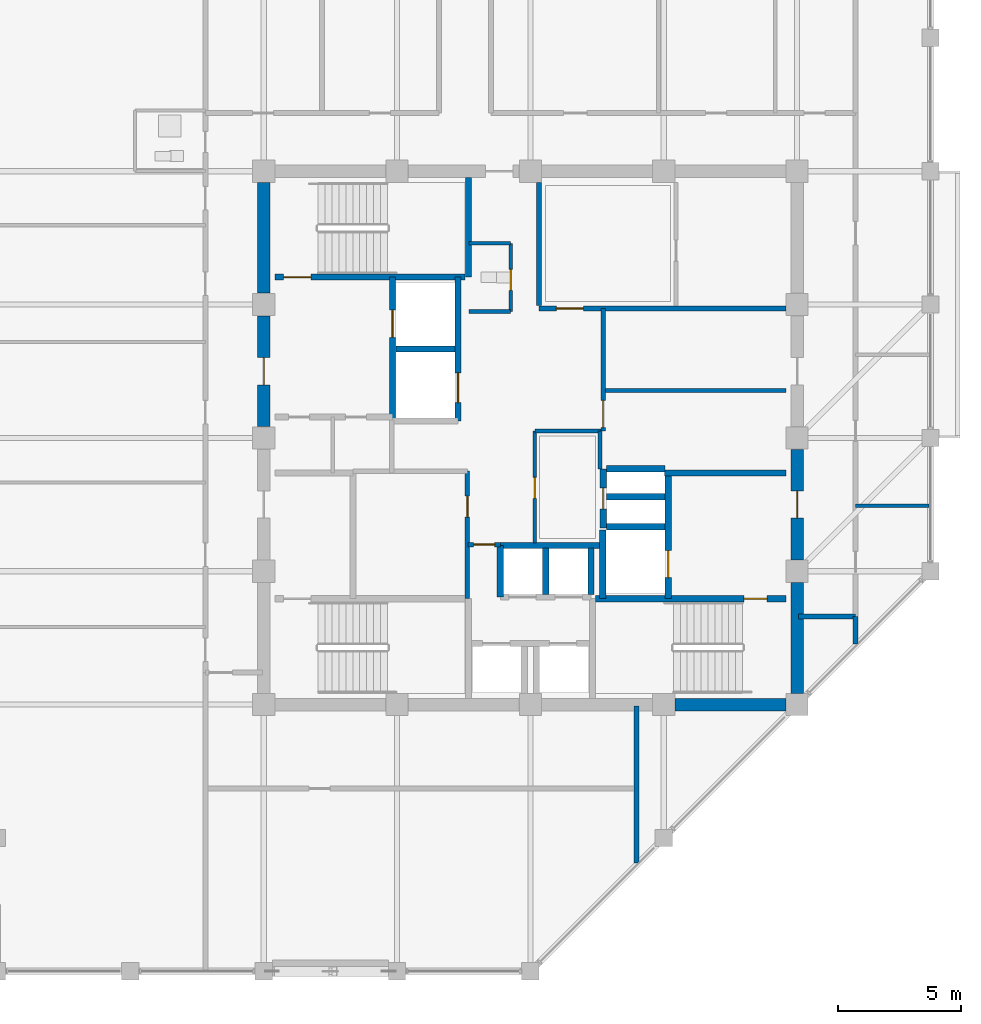
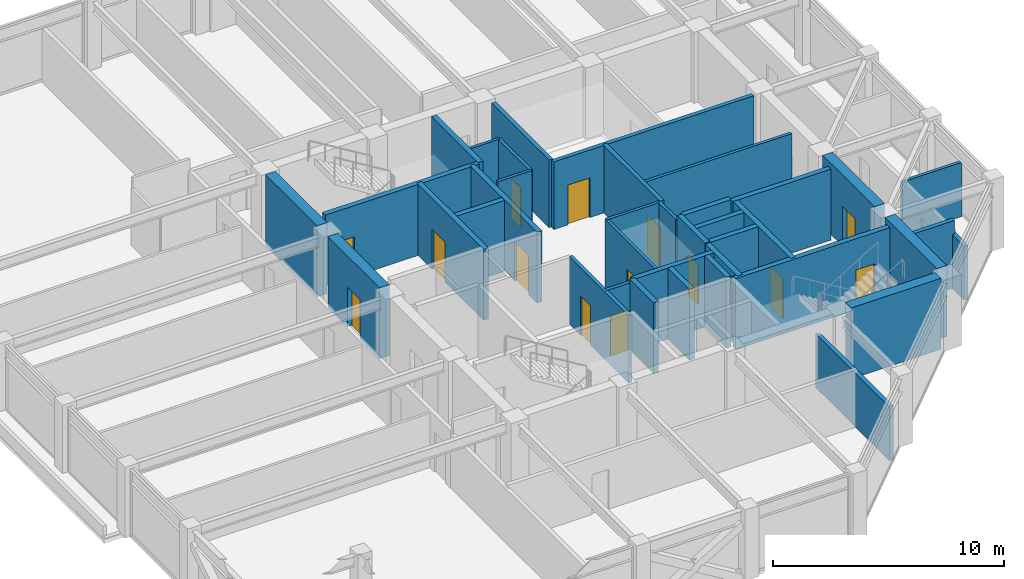
# One storey, part 26 of 30: 38 walls, 14 doors, 14 openings.
"""IFC4 building model written with IfcOpenShell, lengths in metres."""

from ifc_helpers import new_model, si_unit, direction, frame, frame_2d, origin, place, context, subcontext, project, spatial, rectangle, extrude, material, layer, layer_set, type_object, element, fill, save


model = new_model("IFC4")

# Units and contexts
model_context = context("Model", 3, precision=1e-05, world=origin(), true_north=direction((0.0, 1.0)))
body_context = subcontext(model_context, "Body", "Model", "MODEL_VIEW")
ifc_project = project(units=[si_unit("LENGTHUNIT", "METRE"), si_unit("AREAUNIT", "SQUARE_METRE"), si_unit("VOLUMEUNIT", "CUBIC_METRE"), si_unit("PLANEANGLEUNIT", "RADIAN"), si_unit("MASSUNIT", "GRAM", prefix="KILO")], contexts=[model_context])

# Site, building, storey
site_placement = place(None, origin())
site = spatial("IfcSite", under=ifc_project, at=site_placement, CompositionType="ELEMENT")
building_placement = place(site_placement, origin())
building = spatial("IfcBuilding", under=site, at=building_placement, Name="Surkhivell Harbour Commons", CompositionType="ELEMENT")
storey_placement = place(building_placement, frame((0.0, 0.0, 281.25)))
storey = spatial("IfcBuildingStorey", under=building, at=storey_placement, Name="L73", CompositionType="ELEMENT", Elevation=281.25)

# Wall
ifc_material_1 = material(Name="Concrete C50/60", Category="concrete")
ifc_layer_1 = layer(ifc_material_1, 0.5)
ifc_layer_set_1 = layer_set([ifc_layer_1], Name="Concrete C50/60")
wall_type_1 = type_object("IfcWallType", Name="WAL-CORE-500", PredefinedType="SHEAR", material=ifc_layer_set_1)
wall_1_placement = place(storey_placement, frame((10.800048828125, -10.340087890625, 0.0), z_axis=(0.0, 0.0, 1.0), x_axis=(0.0, 1.0, 0.0)))
element("IfcWall", 1, at=wall_1_placement, inside=storey, type_object=wall_type_1, Name="L73 Core Shear Wall East 1", PredefinedType="SHEAR", context=body_context, shape_type="SweptSolid", body=[
    extrude(rectangle(XDim=4.47998046875, YDim=0.5, at=frame_2d((2.239990234375, 0.0))), origin(), (0.0, 0.0, 1.0), 3.75),
])

# Wall, opening, door
wall_2_placement = place(storey_placement, frame((10.800048828125, -4.93994140625, 0.0), z_axis=(0.0, 0.0, 1.0), x_axis=(0.0, 1.0, 0.0)))
wall_2 = element("IfcWall", 2, at=wall_2_placement, inside=storey, type_object=wall_type_1, Name="L73 Core Shear Wall East 2", PredefinedType="SHEAR", context=body_context, shape_type="SweptSolid", body=[
    extrude(rectangle(XDim=4.47998046875, YDim=0.5, at=frame_2d((2.239990234375, 0.0))), origin(), (0.0, 0.0, 1.0), 3.75),
])
opening_1_placement = place(wall_2_placement, frame((1.68994140625, 0.0, 0.0)))
opening_1 = element("IfcOpeningElement", 3, at=opening_1_placement, cuts=wall_2, Name="Opening ID-1", PredefinedType="OPENING", context=body_context, shape_type="SweptSolid", body=[
    extrude(rectangle(XDim=1.10009765625, YDim=2.10009765625, at=frame_2d((0.550048828125, 1.050048828125))), frame((0.0, 0.260009765625, 0.0), z_axis=(0.0, -1.0, 0.0), x_axis=(1.0, 0.0, 0.0)), (0.0, 0.0, 1.0), 0.52001953125),
])
ifc_material_2 = material(Name="Hardwood-veneered fire-rated door leaf", Category="wood")
door_type_1 = type_object("IfcDoorType", Name="DOR-FD120-1100", OperationType="NOTDEFINED", PredefinedType="DOOR", material=ifc_material_2)
door_1_placement = place(opening_1_placement, origin())
door_1 = element("IfcDoor", 4, at=door_1_placement, inside=storey, type_object=door_type_1, Name="L73 Firefighting Lobby 2 Corridor Door", OperationType="SINGLE_SWING_RIGHT", OverallHeight=2.10009765625, OverallWidth=1.10009765625, PredefinedType="DOOR", context=body_context, shape_type="SweptSolid", body=[
    extrude(rectangle(XDim=1.10009765625, YDim=2.10009765625, at=frame_2d((0.550048828125, 1.050048828125))), frame((0.0, 0.02490234375, 0.0), z_axis=(0.0, -1.0, 0.0), x_axis=(1.0, 0.0, 0.0)), (0.0, 0.0, 1.0), 0.050048828125),
])
fill(opening_1, door_1)

wall_3_placement = place(storey_placement, frame((-10.800048828125, 0.4599609375, 0.0), z_axis=(0.0, 0.0, 1.0), x_axis=(0.0, 1.0, 0.0)))
wall_3 = element("IfcWall", 5, at=wall_3_placement, inside=storey, type_object=wall_type_1, Name="L73 Core Shear Wall West 3", PredefinedType="SHEAR", context=body_context, shape_type="SweptSolid", body=[
    extrude(rectangle(XDim=4.47998046875, YDim=0.5, at=frame_2d((2.239990234375, 0.0))), origin(), (0.0, 0.0, 1.0), 3.75),
])
opening_2_placement = place(wall_3_placement, frame((1.68994140625, 0.0, 0.0)))
opening_2 = element("IfcOpeningElement", 6, at=opening_2_placement, cuts=wall_3, Name="Opening ID-1", PredefinedType="OPENING", context=body_context, shape_type="SweptSolid", body=[
    extrude(rectangle(XDim=1.10009765625, YDim=2.10009765625, at=frame_2d((0.550048828125, 1.050048828125))), frame((0.0, 0.260009765625, 0.0), z_axis=(0.0, -1.0, 0.0), x_axis=(1.0, 0.0, 0.0)), (0.0, 0.0, 1.0), 0.52001953125),
])
door_2_placement = place(opening_2_placement, origin())
door_2 = element("IfcDoor", 7, at=door_2_placement, inside=storey, type_object=door_type_1, Name="L73 Firefighting Lobby 1 Corridor Door", OperationType="SINGLE_SWING_LEFT", OverallHeight=2.10009765625, OverallWidth=1.10009765625, PredefinedType="DOOR", context=body_context, shape_type="SweptSolid", body=[
    extrude(rectangle(XDim=1.10009765625, YDim=2.10009765625, at=frame_2d((0.550048828125, 1.050048828125))), frame((0.0, 0.02490234375, 0.0), z_axis=(0.0, -1.0, 0.0), x_axis=(1.0, 0.0, 0.0)), (0.0, 0.0, 1.0), 0.050048828125),
])
fill(opening_2, door_2)

# Walls
for number, where, z_axis, x_axis, name in (
    (8, (5.860107421875, -10.800048828125, 0.0), (0.0, 0.0, 1.0), (1.0, 0.0, 0.0), "L73 Core Shear Wall South 4"),
    (9, (-10.800048828125, 5.860107421875, 0.0), (0.0, 0.0, 1.0), (0.0, 1.0, 0.0), "L73 Core Shear Wall West 4"),
):
    element("IfcWall", number, at=place(storey_placement, frame(where, z_axis=z_axis, x_axis=x_axis)), inside=storey, type_object=wall_type_1, Name=name, PredefinedType="SHEAR", context=body_context, shape_type="SweptSolid", body=[
        extrude(rectangle(XDim=4.47998046875, YDim=0.5, at=frame_2d((2.239990234375, 0.0))), origin(), (0.0, 0.0, 1.0), 3.75),
    ])

# Wall, opening, door
ifc_material_3 = material(Name="Twin-stud acoustic fireboard partition", Category="other")
ifc_layer_2 = layer(ifc_material_3, 0.14990234375)
ifc_layer_set_2 = layer_set([ifc_layer_2], Name="Twin-stud acoustic fireboard partition")
wall_type_2 = type_object("IfcWallType", Name="WAL-INT-150", PredefinedType="PARTITIONING", material=ifc_layer_set_2)
wall_4_placement = place(storey_placement, frame((-0.800048828125, 5.1201171875, 0.0), z_axis=(0.0, 0.0, 1.0), x_axis=(0.0, 1.0, 0.0)))
wall_4 = element("IfcWall", 10, at=wall_4_placement, inside=storey, type_object=wall_type_2, Name="L73 Core Accessible WC East Wall", PredefinedType="PARTITIONING", context=body_context, shape_type="SweptSolid", body=[
    extrude(rectangle(XDim=2.759765625, YDim=0.14990234375, at=frame_2d((1.3798828125, 0.0))), origin(), (0.0, 0.0, 1.0), 3.570068359375),
])
opening_3_placement = place(wall_4_placement, frame((0.85009765625, 0.0, 0.0)))
opening_3 = element("IfcOpeningElement", 11, at=opening_3_placement, cuts=wall_4, Name="Opening ID-6", PredefinedType="OPENING", context=body_context, shape_type="SweptSolid", body=[
    extrude(rectangle(XDim=0.85009765625, YDim=2.10009765625, at=frame_2d((0.425048828125, 1.050048828125))), frame((0.0, 0.0849609375, 0.0), z_axis=(0.0, -1.0, 0.0), x_axis=(1.0, 0.0, 0.0)), (0.0, 0.0, 1.0), 0.169921875),
])
door_type_2 = type_object("IfcDoorType", Name="DOR-FD30-850", OperationType="NOTDEFINED", PredefinedType="DOOR", material=ifc_material_2)
door_3_placement = place(opening_3_placement, origin())
door_3 = element("IfcDoor", 12, at=door_3_placement, inside=storey, type_object=door_type_2, Name="L73 Floor Accessible WC Door", OperationType="SINGLE_SWING_LEFT", OverallHeight=2.10009765625, OverallWidth=0.85009765625, PredefinedType="DOOR", context=body_context, shape_type="SweptSolid", body=[
    extrude(rectangle(XDim=0.85009765625, YDim=2.10009765625, at=frame_2d((0.425048828125, 1.050048828125))), frame((0.0, 0.02490234375, 0.0), z_axis=(0.0, -1.0, 0.0), x_axis=(1.0, 0.0, 0.0)), (0.0, 0.0, 1.0), 0.050048828125),
])
fill(opening_3, door_3)

# Walls
for number, where, z_axis, x_axis, name in (
    (13, (-2.47998046875, 7.8798828125, 0.0), (0.0, 0.0, 1.0), (1.0, 0.0, 0.0), "L73 Core Accessible WC North Wall"),
    (14, (-2.47998046875, 5.1201171875, 0.0), (0.0, 0.0, 1.0), (1.0, 0.0, 0.0), "L73 Core Accessible WC South Wall"),
):
    element("IfcWall", number, at=place(storey_placement, frame(where, z_axis=z_axis, x_axis=x_axis)), inside=storey, type_object=wall_type_2, Name=name, PredefinedType="PARTITIONING", context=body_context, shape_type="SweptSolid", body=[
        extrude(rectangle(XDim=1.679931640625, YDim=0.14990234375, at=frame_2d((0.83984375, 0.0))), origin(), (0.0, 0.0, 1.0), 3.570068359375),
    ])
wall_5_placement = place(storey_placement, frame((2.820068359375, -1.25, 0.0), z_axis=(0.0, 0.0, 1.0), x_axis=(0.0, 1.0, 0.0)))
element("IfcWall", 15, at=wall_5_placement, inside=storey, type_object=wall_type_2, Name="L73 Central Music East Wall", PredefinedType="PARTITIONING", context=body_context, shape_type="SweptSolid", body=[
    extrude(rectangle(XDim=1.530029296875, YDim=0.14990234375, at=frame_2d((0.76513671875, 0.0))), origin(), (0.0, 0.0, 1.0), 3.570068359375),
])
wall_6_placement = place(storey_placement, frame((0.179931640625, 0.280029296875, 0.0), z_axis=(0.0, 0.0, 1.0), x_axis=(1.0, 0.0, 0.0)))
element("IfcWall", 16, at=wall_6_placement, inside=storey, type_object=wall_type_2, Name="L73 Central Music North Wall", PredefinedType="PARTITIONING", context=body_context, shape_type="SweptSolid", body=[
    extrude(rectangle(XDim=2.670166015625, YDim=0.14990234375, at=frame_2d((1.3349609375, 0.0))), origin(), (0.0, 0.0, 1.0), 3.570068359375),
])

# Wall, opening, door
wall_7_placement = place(storey_placement, frame((0.179931640625, -4.25, 0.0), z_axis=(0.0, 0.0, 1.0), x_axis=(0.0, 1.0, 0.0)))
wall_7 = element("IfcWall", 17, at=wall_7_placement, inside=storey, type_object=wall_type_2, Name="L73 Central Music West Wall", PredefinedType="PARTITIONING", context=body_context, shape_type="SweptSolid", body=[
    extrude(rectangle(XDim=4.530029296875, YDim=0.14990234375, at=frame_2d((2.26513671875, 0.0))), origin(), (0.0, 0.0, 1.0), 3.570068359375),
])
opening_4_placement = place(wall_7_placement, frame((1.800048828125, 0.0, 0.0)))
opening_4 = element("IfcOpeningElement", 18, at=opening_4_placement, cuts=wall_7, Name="Opening ID-6", PredefinedType="OPENING", context=body_context, shape_type="SweptSolid", body=[
    extrude(rectangle(XDim=0.85009765625, YDim=2.10009765625, at=frame_2d((0.425048828125, 1.050048828125))), frame((0.0, 0.0849609375, 0.0), z_axis=(0.0, -1.0, 0.0), x_axis=(1.0, 0.0, 0.0)), (0.0, 0.0, 1.0), 0.169921875),
])
door_4_placement = place(opening_4_placement, origin())
door_4 = element("IfcDoor", 19, at=door_4_placement, inside=storey, type_object=door_type_2, Name="L73 Central Music Door", OperationType="SINGLE_SWING_RIGHT", OverallHeight=2.10009765625, OverallWidth=0.85009765625, PredefinedType="DOOR", context=body_context, shape_type="SweptSolid", body=[
    extrude(rectangle(XDim=0.85009765625, YDim=2.10009765625, at=frame_2d((0.425048828125, 1.050048828125))), frame((0.0, 0.02490234375, 0.0), z_axis=(0.0, -1.0, 0.0), x_axis=(1.0, 0.0, 0.0)), (0.0, 0.0, 1.0), 0.050048828125),
])
fill(opening_4, door_4)

# Walls
wall_8_placement = place(storey_placement, frame((2.949951171875, 1.919921875, 0.0), z_axis=(0.0, 0.0, 1.0), x_axis=(1.0, 0.0, 0.0)))
element("IfcWall", 20, at=wall_8_placement, inside=storey, type_object=wall_type_2, Name="L73 Quiet Study Wall", PredefinedType="PARTITIONING", context=body_context, shape_type="SweptSolid", body=[
    extrude(rectangle(XDim=7.39013671875, YDim=0.14990234375, at=frame_2d((3.695068359375, 0.0))), origin(), (0.0, 0.0, 1.0), 3.570068359375),
])
wall_9_placement = place(storey_placement, frame((13.159912109375, -2.75, 0.0), z_axis=(0.0, 0.0, 1.0), x_axis=(1.0, 0.0, 0.0)))
element("IfcWall", 21, at=wall_9_placement, inside=storey, type_object=wall_type_2, Name="L73 East Partition P1", PredefinedType="PARTITIONING", context=body_context, shape_type="SweptSolid", body=[
    extrude(rectangle(XDim=2.97998046875, YDim=0.14990234375, at=frame_2d((1.489990234375, 0.0))), origin(), (0.0, 0.0, 1.0), 2.85693359375),
])

# Wall, opening, door
ifc_material_4 = material(Name="High-density acoustic blockwork fire partition", Category="masonry")
ifc_layer_3 = layer(ifc_material_4, 0.175048828125)
ifc_layer_set_3 = layer_set([ifc_layer_3], Name="High-density acoustic blockwork fire partition")
wall_type_3 = type_object("IfcWallType", Name="WAL-INT-175", PredefinedType="PARTITIONING", material=ifc_layer_set_3)
wall_10_placement = place(storey_placement, frame((-2.550048828125, -6.510009765625, 0.0), z_axis=(0.0, 0.0, 1.0), x_axis=(0.0, 1.0, 0.0)))
wall_10 = element("IfcWall", 22, at=wall_10_placement, inside=storey, type_object=wall_type_3, Name="L73 Core Service Bay East Wall", PredefinedType="PARTITIONING", context=body_context, shape_type="SweptSolid", body=[
    extrude(rectangle(XDim=5.159912109375, YDim=0.175048828125, at=frame_2d((2.580078125, 0.0))), origin(), (0.0, 0.0, 1.0), 3.570068359375),
])
opening_5_placement = place(wall_10_placement, frame((3.300048828125, 0.0, 0.0)))
opening_5 = element("IfcOpeningElement", 23, at=opening_5_placement, cuts=wall_10, Name="Opening ID-6", PredefinedType="OPENING", context=body_context, shape_type="SweptSolid", body=[
    extrude(rectangle(XDim=0.85009765625, YDim=2.10009765625, at=frame_2d((0.425048828125, 1.050048828125))), frame((0.0, 0.097412109375, 0.0), z_axis=(0.0, -1.0, 0.0), x_axis=(1.0, 0.0, 0.0)), (0.0, 0.0, 1.0), 0.195068359375),
])
door_5_placement = place(opening_5_placement, origin())
door_5 = element("IfcDoor", 24, at=door_5_placement, inside=storey, type_object=door_type_2, Name="L73 Core Quiet Reading Door", OperationType="SINGLE_SWING_RIGHT", OverallHeight=2.10009765625, OverallWidth=0.85009765625, PredefinedType="DOOR", context=body_context, shape_type="SweptSolid", body=[
    extrude(rectangle(XDim=0.85009765625, YDim=2.10009765625, at=frame_2d((0.425048828125, 1.050048828125))), frame((0.0, 0.02490234375, 0.0), z_axis=(0.0, -1.0, 0.0), x_axis=(1.0, 0.0, 0.0)), (0.0, 0.0, 1.0), 0.050048828125),
])
fill(opening_5, door_5)

wall_11_placement = place(storey_placement, frame((-2.52001953125, -4.320068359375, 0.0), z_axis=(0.0, 0.0, 1.0), x_axis=(1.0, 0.0, 0.0)))
wall_11 = element("IfcWall", 25, at=wall_11_placement, inside=storey, type_object=wall_type_3, Name="L73 High-Rise Lobby North Portal Wall", PredefinedType="PARTITIONING", context=body_context, shape_type="SweptSolid", body=[
    extrude(rectangle(XDim=1.300048828125, YDim=0.175048828125, at=frame_2d((0.64990234375, 0.0))), origin(), (0.0, 0.0, 1.0), 3.570068359375),
])
opening_6_placement = place(wall_11_placement, frame((0.219970703125, 0.0, 0.0)))
opening_6 = element("IfcOpeningElement", 26, at=opening_6_placement, cuts=wall_11, Name="Opening ID-6", PredefinedType="OPENING", context=body_context, shape_type="SweptSolid", body=[
    extrude(rectangle(XDim=0.85009765625, YDim=2.10009765625, at=frame_2d((0.425048828125, 1.050048828125))), frame((0.0, 0.097412109375, 0.0), z_axis=(0.0, -1.0, 0.0), x_axis=(1.0, 0.0, 0.0)), (0.0, 0.0, 1.0), 0.195068359375),
])
door_6_placement = place(opening_6_placement, origin())
door_6 = element("IfcDoor", 27, at=door_6_placement, inside=storey, type_object=door_type_2, Name="L73 High-Rise Lift Lobby North Door", OperationType="SINGLE_SWING_LEFT", OverallHeight=2.10009765625, OverallWidth=0.85009765625, PredefinedType="DOOR", context=body_context, shape_type="SweptSolid", body=[
    extrude(rectangle(XDim=0.85009765625, YDim=2.10009765625, at=frame_2d((0.425048828125, 1.050048828125))), frame((0.0, 0.02490234375, 0.0), z_axis=(0.0, -1.0, 0.0), x_axis=(1.0, 0.0, 0.0)), (0.0, 0.0, 1.0), 0.050048828125),
])
fill(opening_6, door_6)

ifc_material_5 = material(Name="Autoclaved aerated concrete blockwork and fire plaster", Category="masonry")
ifc_layer_4 = layer(ifc_material_5, 0.199951171875)
ifc_layer_set_4 = layer_set([ifc_layer_4], Name="Autoclaved aerated concrete blockwork and fire plaster")
wall_type_4 = type_object("IfcWallType", Name="WAL-INT-200", PredefinedType="PARTITIONING", material=ifc_layer_set_4)
wall_12_placement = place(storey_placement, frame((0.35009765625, 5.239990234375, 0.0), z_axis=(0.0, 0.0, 1.0), x_axis=(1.0, 0.0, 0.0)))
wall_12 = element("IfcWall", 28, at=wall_12_placement, inside=storey, type_object=wall_type_4, Name="L73 Reclaimed Core North Bay South Wall", PredefinedType="PARTITIONING", context=body_context, shape_type="SweptSolid", body=[
    extrude(rectangle(XDim=9.989990234375, YDim=0.199951171875, at=frame_2d((4.9951171875, 0.0))), origin(), (0.0, 0.0, 1.0), 3.570068359375),
])
opening_7_placement = place(wall_12_placement, frame((0.699951171875, 0.0, 0.0)))
opening_7 = element("IfcOpeningElement", 29, at=opening_7_placement, cuts=wall_12, Name="Opening ID-2", PredefinedType="OPENING", context=body_context, shape_type="SweptSolid", body=[
    extrude(rectangle(XDim=1.10009765625, YDim=2.10009765625, at=frame_2d((0.550048828125, 1.050048828125))), frame((0.0, 0.10986328125, 0.0), z_axis=(0.0, -1.0, 0.0), x_axis=(1.0, 0.0, 0.0)), (0.0, 0.0, 1.0), 0.219970703125),
])
door_type_3 = type_object("IfcDoorType", Name="DOR-FD60-1100", OperationType="NOTDEFINED", PredefinedType="DOOR", material=ifc_material_2)
door_7_placement = place(opening_7_placement, origin())
door_7 = element("IfcDoor", 30, at=door_7_placement, inside=storey, type_object=door_type_3, Name="L73 Core Seminar Door", OperationType="SINGLE_SWING_LEFT", OverallHeight=2.10009765625, OverallWidth=1.10009765625, PredefinedType="DOOR", context=body_context, shape_type="SweptSolid", body=[
    extrude(rectangle(XDim=1.10009765625, YDim=2.10009765625, at=frame_2d((0.550048828125, 1.050048828125))), frame((0.0, 0.02490234375, 0.0), z_axis=(0.0, -1.0, 0.0), x_axis=(1.0, 0.0, 0.0)), (0.0, 0.0, 1.0), 0.050048828125),
])
fill(opening_7, door_7)

# Walls
wall_13_placement = place(storey_placement, frame((0.35009765625, 5.360107421875, 0.0), z_axis=(0.0, 0.0, 1.0), x_axis=(0.0, 1.0, 0.0)))
element("IfcWall", 31, at=wall_13_placement, inside=storey, type_object=wall_type_4, Name="L73 Reclaimed Core North Bay West Wall", PredefinedType="PARTITIONING", context=body_context, shape_type="SweptSolid", body=[
    extrude(rectangle(XDim=4.97998046875, YDim=0.199951171875, at=frame_2d((2.489990234375, 0.0))), origin(), (0.0, 0.0, 1.0), 3.570068359375),
])
wall_14_placement = place(storey_placement, frame((13.159912109375, -8.355224609375, 0.0), z_axis=(0.0, 0.0, 1.0), x_axis=(0.0, 1.0, 0.0)))
element("IfcWall", 32, at=wall_14_placement, inside=storey, type_object=wall_type_4, Name="L73 East Wing South Closure Wall", PredefinedType="PARTITIONING", context=body_context, shape_type="SweptSolid", body=[
    extrude(rectangle(XDim=1.115234375, YDim=0.199951171875, at=frame_2d((0.5576171875, 0.0))), origin(), (0.0, 0.0, 1.0), 2.85693359375),
])
wall_15_placement = place(storey_placement, frame((10.85009765625, -7.239990234375, 0.0), z_axis=(0.0, 0.0, 1.0), x_axis=(1.0, 0.0, 0.0)))
element("IfcWall", 33, at=wall_15_placement, inside=storey, type_object=wall_type_4, Name="L73 East Corridor South Closure Wall", PredefinedType="PARTITIONING", context=body_context, shape_type="SweptSolid", body=[
    extrude(rectangle(XDim=2.309814453125, YDim=0.199951171875, at=frame_2d((1.15478515625, 0.0))), origin(), (0.0, 0.0, 1.0), 3.570068359375),
])
wall_16_placement = place(storey_placement, frame((4.300048828125, -17.215087890625, 0.0), z_axis=(0.0, 0.0, 1.0), x_axis=(0.0, 1.0, 0.0)))
element("IfcWall", 34, at=wall_16_placement, inside=storey, type_object=wall_type_4, Name="L73 South Hall East Wall", PredefinedType="PARTITIONING", context=body_context, shape_type="SweptSolid", body=[
    extrude(rectangle(XDim=6.364990234375, YDim=0.199951171875, at=frame_2d((3.1826171875, 0.0))), origin(), (0.0, 0.0, 1.0), 2.85693359375),
])

# Wall, opening, door
wall_17_placement = place(storey_placement, frame((2.949951171875, 0.280029296875, 0.0), z_axis=(0.0, 0.0, 1.0), x_axis=(0.0, 1.0, 0.0)))
wall_17 = element("IfcWall", 35, at=wall_17_placement, inside=storey, type_object=wall_type_4, Name="L73 Reclaimed East Core West Wall", PredefinedType="PARTITIONING", context=body_context, shape_type="SweptSolid", body=[
    extrude(rectangle(XDim=4.9599609375, YDim=0.199951171875, at=frame_2d((2.47998046875, 0.0))), origin(), (0.0, 0.0, 1.0), 3.570068359375),
])
opening_8_placement = place(wall_17_placement, frame((0.139892578125, 0.0, 0.0)))
opening_8 = element("IfcOpeningElement", 36, at=opening_8_placement, cuts=wall_17, Name="Opening ID-2", PredefinedType="OPENING", context=body_context, shape_type="SweptSolid", body=[
    extrude(rectangle(XDim=1.10009765625, YDim=2.10009765625, at=frame_2d((0.550048828125, 1.050048828125))), frame((0.0, 0.10986328125, 0.0), z_axis=(0.0, -1.0, 0.0), x_axis=(1.0, 0.0, 0.0)), (0.0, 0.0, 1.0), 0.219970703125),
])
door_8_placement = place(opening_8_placement, origin())
door_8 = element("IfcDoor", 37, at=door_8_placement, inside=storey, type_object=door_type_3, Name="L73 Quiet Study A Door", OperationType="SINGLE_SWING_LEFT", OverallHeight=2.10009765625, OverallWidth=1.10009765625, PredefinedType="DOOR", context=body_context, shape_type="SweptSolid", body=[
    extrude(rectangle(XDim=1.10009765625, YDim=2.10009765625, at=frame_2d((0.550048828125, 1.050048828125))), frame((0.0, 0.02490234375, 0.0), z_axis=(0.0, -1.0, 0.0), x_axis=(1.0, 0.0, 0.0)), (0.0, 0.0, 1.0), 0.050048828125),
])
fill(opening_8, door_8)

ifc_layer_5 = layer(ifc_material_1, 0.25)
ifc_layer_set_5 = layer_set([ifc_layer_5], Name="Concrete C50/60")
wall_type_5 = type_object("IfcWallType", Name="WAL-SHAFT-250", PredefinedType="SHEAR", material=ifc_layer_set_5)
wall_18_placement = place(storey_placement, frame((-5.580078125, 0.719970703125, 0.0), z_axis=(0.0, 0.0, 1.0), x_axis=(0.0, 1.0, 0.0)))
wall_18 = element("IfcWall", 38, at=wall_18_placement, inside=storey, type_object=wall_type_5, Name="L73 Firefighting Lobby 1 East Shaft Wall", PredefinedType="SHEAR", context=body_context, shape_type="SweptSolid", body=[
    extrude(rectangle(XDim=5.7900390625, YDim=0.25, at=frame_2d((2.89501953125, 0.0))), origin(), (0.0, 0.0, 1.0), 3.75),
])
opening_9_placement = place(wall_18_placement, frame((3.35009765625, 0.0, 0.0)))
opening_9 = element("IfcOpeningElement", 39, at=opening_9_placement, cuts=wall_18, Name="Opening LD-1", PredefinedType="OPENING", context=body_context, shape_type="SweptSolid", body=[
    extrude(rectangle(XDim=1.10009765625, YDim=2.10009765625, at=frame_2d((0.550048828125, 1.050048828125))), frame((0.0, 0.135009765625, 0.0), z_axis=(0.0, -1.0, 0.0), x_axis=(1.0, 0.0, 0.0)), (0.0, 0.0, 1.0), 0.27001953125),
])
ifc_material_6 = material(Name="Brushed stainless steel S355", Category="steel")
door_type_4 = type_object("IfcDoorType", Name="DOR-LD-1100", OperationType="SLIDING_TO_LEFT", PredefinedType="DOOR", material=ifc_material_6)
door_9_placement = place(opening_9_placement, origin())
door_9 = element("IfcDoor", 40, at=door_9_placement, inside=storey, type_object=door_type_4, Name="L73 Lift Landing Door LD-FFL1", OperationType="SLIDING_TO_LEFT", OverallHeight=2.10009765625, OverallWidth=1.10009765625, PredefinedType="DOOR", context=body_context, shape_type="SweptSolid", body=[
    extrude(rectangle(XDim=1.10009765625, YDim=2.10009765625, at=frame_2d((0.550048828125, 1.050048828125))), frame((0.0, 0.02490234375, 0.0), z_axis=(0.0, -1.0, 0.0), x_axis=(1.0, 0.0, 0.0)), (0.0, 0.0, 1.0), 0.050048828125),
])
fill(opening_9, door_9)

# Walls
wall_19_placement = place(storey_placement, frame((2.929931640625, -6.510009765625, 0.0), z_axis=(0.0, 0.0, 1.0), x_axis=(0.0, 1.0, 0.0)))
element("IfcWall", 41, at=wall_19_placement, inside=storey, type_object=wall_type_5, Name="L73 FFL2 West Shaft Wall", PredefinedType="SHEAR", context=body_context, shape_type="SweptSolid", body=[
    extrude(rectangle(XDim=2.7900390625, YDim=0.25, at=frame_2d((1.39501953125, 0.0))), origin(), (0.0, 0.0, 1.0), 3.75),
])
wall_20_placement = place(storey_placement, frame((5.43994140625, -1.419921875, 0.0), z_axis=(0.0, 0.0, 1.0), x_axis=(1.0, 0.0, 0.0)))
element("IfcWall", 42, at=wall_20_placement, inside=storey, type_object=wall_type_5, Name="L73 Firefighting Lobby 2 North Wall", PredefinedType="SHEAR", context=body_context, shape_type="SweptSolid", body=[
    extrude(rectangle(XDim=4.900146484375, YDim=0.25, at=frame_2d((2.4501953125, 0.0))), origin(), (0.0, 0.0, 1.0), 3.75),
])
wall_21_placement = place(storey_placement, frame((3.080078125, -3.60009765625, 0.0), z_axis=(0.0, 0.0, 1.0), x_axis=(1.0, 0.0, 0.0)))
element("IfcWall", 43, at=wall_21_placement, inside=storey, type_object=wall_type_5, Name="L73 FFL2 North Shaft Wall", PredefinedType="SHEAR", context=body_context, shape_type="SweptSolid", body=[
    extrude(rectangle(XDim=2.369873046875, YDim=0.25, at=frame_2d((1.18505859375, 0.0))), origin(), (0.0, 0.0, 1.0), 3.75),
])

# Wall, opening, door
wall_22_placement = place(storey_placement, frame((5.580078125, -6.510009765625, 0.0), z_axis=(0.0, 0.0, 1.0), x_axis=(0.0, 1.0, 0.0)))
wall_22 = element("IfcWall", 44, at=wall_22_placement, inside=storey, type_object=wall_type_5, Name="L73 Firefighting Lobby 2 West Shaft Wall", PredefinedType="SHEAR", context=body_context, shape_type="SweptSolid", body=[
    extrude(rectangle(XDim=5.090087890625, YDim=0.25, at=frame_2d((2.544921875, 0.0))), origin(), (0.0, 0.0, 1.0), 3.75),
])
opening_10_placement = place(wall_22_placement, frame((0.85009765625, 0.0, 0.0)))
opening_10 = element("IfcOpeningElement", 45, at=opening_10_placement, cuts=wall_22, Name="Opening LD-1", PredefinedType="OPENING", context=body_context, shape_type="SweptSolid", body=[
    extrude(rectangle(XDim=1.10009765625, YDim=2.10009765625, at=frame_2d((0.550048828125, 1.050048828125))), frame((0.0, 0.135009765625, 0.0), z_axis=(0.0, -1.0, 0.0), x_axis=(1.0, 0.0, 0.0)), (0.0, 0.0, 1.0), 0.27001953125),
])
door_10_placement = place(opening_10_placement, origin())
door_10 = element("IfcDoor", 46, at=door_10_placement, inside=storey, type_object=door_type_4, Name="L73 Lift Landing Door LD-FFL2", OperationType="SLIDING_TO_RIGHT", OverallHeight=2.10009765625, OverallWidth=1.10009765625, PredefinedType="DOOR", context=body_context, shape_type="SweptSolid", body=[
    extrude(rectangle(XDim=1.10009765625, YDim=2.10009765625, at=frame_2d((0.550048828125, 1.050048828125))), frame((0.0, 0.02490234375, 0.0), z_axis=(0.0, -1.0, 0.0), x_axis=(1.0, 0.0, 0.0)), (0.0, 0.0, 1.0), 0.050048828125),
])
fill(opening_10, door_10)

# Walls
for number, where, z_axis, x_axis, name in (
    (47, (0.6201171875, -6.340087890625, 0.0), (0.0, 0.0, 1.0), (0.0, 1.0, 0.0), "L73 High-Rise Side Wall N"),
    (48, (2.449951171875, -6.340087890625, 0.0), (0.0, 0.0, 1.0), (0.0, 1.0, 0.0), "L73 High-Rise Side Wall N"),
):
    element("IfcWall", number, at=place(storey_placement, frame(where, z_axis=z_axis, x_axis=x_axis)), inside=storey, type_object=wall_type_5, Name=name, PredefinedType="SHEAR", context=body_context, shape_type="SweptSolid", body=[
        extrude(rectangle(XDim=1.880126953125, YDim=0.25, at=frame_2d((0.93994140625, 0.0))), origin(), (0.0, 0.0, 1.0), 3.75),
    ])
wall_23_placement = place(storey_placement, frame((-1.219970703125, -6.43994140625, 0.0), z_axis=(0.0, 0.0, 1.0), x_axis=(0.0, 1.0, 0.0)))
element("IfcWall", 49, at=wall_23_placement, inside=storey, type_object=wall_type_5, Name="L73 High-Rise Passage East Shaft Wall", PredefinedType="SHEAR", context=body_context, shape_type="SweptSolid", body=[
    extrude(rectangle(XDim=2.079833984375, YDim=0.25, at=frame_2d((1.0400390625, 0.0))), origin(), (0.0, 0.0, 1.0), 3.75),
])
wall_24_placement = place(storey_placement, frame((-1.219970703125, -4.360107421875, 0.0), z_axis=(0.0, 0.0, 1.0), x_axis=(1.0, 0.0, 0.0)))
element("IfcWall", 50, at=wall_24_placement, inside=storey, type_object=wall_type_5, Name="L73 High-Rise North Back Shaft Wall", PredefinedType="SHEAR", context=body_context, shape_type="SweptSolid", body=[
    extrude(rectangle(XDim=4.030029296875, YDim=0.25, at=frame_2d((2.01513671875, 0.0))), origin(), (0.0, 0.0, 1.0), 3.75),
])
for number, where, z_axis, x_axis, name in (
    (51, (3.080078125, -2.3798828125, 0.0), (0.0, 0.0, 1.0), (1.0, 0.0, 0.0), "L73 Riser Divider Wall"),
    (52, (3.080078125, -1.25, 0.0), (0.0, 0.0, 1.0), (1.0, 0.0, 0.0), "L73 Riser North Wall"),
):
    element("IfcWall", number, at=place(storey_placement, frame(where, z_axis=z_axis, x_axis=x_axis)), inside=storey, type_object=wall_type_5, Name=name, PredefinedType="SHEAR", context=body_context, shape_type="SweptSolid", body=[
        extrude(rectangle(XDim=2.369873046875, YDim=0.25, at=frame_2d((1.18505859375, 0.0))), origin(), (0.0, 0.0, 1.0), 3.75),
    ])

# Wall, opening, door
wall_25_placement = place(storey_placement, frame((2.949951171875, -3.64990234375, 0.0), z_axis=(0.0, 0.0, 1.0), x_axis=(0.0, 1.0, 0.0)))
wall_25 = element("IfcWall", 53, at=wall_25_placement, inside=storey, type_object=wall_type_5, Name="L73 Riser Shaft West Wall", PredefinedType="SHEAR", context=body_context, shape_type="SweptSolid", body=[
    extrude(rectangle(XDim=2.39990234375, YDim=0.25, at=frame_2d((1.199951171875, 0.0))), origin(), (0.0, 0.0, 1.0), 3.75),
])
opening_11_placement = place(wall_25_placement, frame((0.77490234375, 0.0, 0.0)))
opening_11 = element("IfcOpeningElement", 54, at=opening_11_placement, cuts=wall_25, Name="Opening ID-6", PredefinedType="OPENING", context=body_context, shape_type="SweptSolid", body=[
    extrude(rectangle(XDim=0.85009765625, YDim=2.10009765625, at=frame_2d((0.425048828125, 1.050048828125))), frame((0.0, 0.135009765625, 0.0), z_axis=(0.0, -1.0, 0.0), x_axis=(1.0, 0.0, 0.0)), (0.0, 0.0, 1.0), 0.27001953125),
])
door_11_placement = place(opening_11_placement, origin())
door_11 = element("IfcDoor", 55, at=door_11_placement, inside=storey, type_object=door_type_2, Name="L73 Electrical Riser Access Door", OperationType="SINGLE_SWING_LEFT", OverallHeight=2.10009765625, OverallWidth=0.85009765625, PredefinedType="DOOR", context=body_context, shape_type="SweptSolid", body=[
    extrude(rectangle(XDim=0.85009765625, YDim=2.10009765625, at=frame_2d((0.425048828125, 1.050048828125))), frame((0.0, 0.02490234375, 0.0), z_axis=(0.0, -1.0, 0.0), x_axis=(1.0, 0.0, 0.0)), (0.0, 0.0, 1.0), 0.050048828125),
])
fill(opening_11, door_11)

# Wall
wall_26_placement = place(storey_placement, frame((-2.510009765625, 6.510009765625, 0.0), z_axis=(0.0, 0.0, 1.0), x_axis=(0.0, 1.0, 0.0)))
element("IfcWall", 56, at=wall_26_placement, inside=storey, type_object=wall_type_5, Name="L73 Stair ST1 East Shear Wall", PredefinedType="SHEAR", context=body_context, shape_type="SweptSolid", body=[
    extrude(rectangle(XDim=4.0400390625, YDim=0.25, at=frame_2d((2.02001953125, 0.0))), origin(), (0.0, 0.0, 1.0), 3.75),
])

# Wall, opening, door
wall_27_placement = place(storey_placement, frame((-10.340087890625, 6.510009765625, 0.0), z_axis=(0.0, 0.0, 1.0), x_axis=(1.0, 0.0, 0.0)))
wall_27 = element("IfcWall", 57, at=wall_27_placement, inside=storey, type_object=wall_type_5, Name="L73 Stair ST1 South Shear Wall", PredefinedType="SHEAR", context=body_context, shape_type="SweptSolid", body=[
    extrude(rectangle(XDim=7.7001953125, YDim=0.25, at=frame_2d((3.85009765625, 0.0))), origin(), (0.0, 0.0, 1.0), 3.75),
])
opening_12_placement = place(wall_27_placement, frame((0.35009765625, 0.0, 0.0)))
opening_12 = element("IfcOpeningElement", 58, at=opening_12_placement, cuts=wall_27, Name="Opening ID-2", PredefinedType="OPENING", context=body_context, shape_type="SweptSolid", body=[
    extrude(rectangle(XDim=1.10009765625, YDim=2.10009765625, at=frame_2d((0.550048828125, 1.050048828125))), frame((0.0, 0.135009765625, 0.0), z_axis=(0.0, -1.0, 0.0), x_axis=(1.0, 0.0, 0.0)), (0.0, 0.0, 1.0), 0.27001953125),
])
door_12_placement = place(opening_12_placement, origin())
door_12 = element("IfcDoor", 59, at=door_12_placement, inside=storey, type_object=door_type_3, Name="L73 Stair ST1 Exit Door", OperationType="SINGLE_SWING_LEFT", OverallHeight=2.10009765625, OverallWidth=1.10009765625, PredefinedType="DOOR", context=body_context, shape_type="SweptSolid", body=[
    extrude(rectangle(XDim=1.10009765625, YDim=2.10009765625, at=frame_2d((0.550048828125, 1.050048828125))), frame((0.0, 0.02490234375, 0.0), z_axis=(0.0, -1.0, 0.0), x_axis=(1.0, 0.0, 0.0)), (0.0, 0.0, 1.0), 0.050048828125),
])
fill(opening_12, door_12)

wall_28_placement = place(storey_placement, frame((2.639892578125, -6.510009765625, 0.0), z_axis=(0.0, 0.0, 1.0), x_axis=(1.0, 0.0, 0.0)))
wall_28 = element("IfcWall", 60, at=wall_28_placement, inside=storey, type_object=wall_type_5, Name="L73 Stair ST2 North Shear Wall", PredefinedType="SHEAR", context=body_context, shape_type="SweptSolid", body=[
    extrude(rectangle(XDim=7.7001953125, YDim=0.25, at=frame_2d((3.85009765625, 0.0))), origin(), (0.0, 0.0, 1.0), 3.75),
])
opening_13_placement = place(wall_28_placement, frame((6.0, 0.0, 0.0)))
opening_13 = element("IfcOpeningElement", 61, at=opening_13_placement, cuts=wall_28, Name="Opening ID-4", PredefinedType="OPENING", context=body_context, shape_type="SweptSolid", body=[
    extrude(rectangle(XDim=0.949951171875, YDim=2.10009765625, at=frame_2d((0.47509765625, 1.050048828125))), frame((0.0, 0.135009765625, 0.0), z_axis=(0.0, -1.0, 0.0), x_axis=(1.0, 0.0, 0.0)), (0.0, 0.0, 1.0), 0.27001953125),
])
door_type_5 = type_object("IfcDoorType", Name="DOR-FD60-950", OperationType="NOTDEFINED", PredefinedType="DOOR", material=ifc_material_2)
door_13_placement = place(opening_13_placement, origin())
door_13 = element("IfcDoor", 62, at=door_13_placement, inside=storey, type_object=door_type_5, Name="L73 Stair ST2 Exit Door", OperationType="SINGLE_SWING_RIGHT", OverallHeight=2.10009765625, OverallWidth=0.949951171875, PredefinedType="DOOR", context=body_context, shape_type="SweptSolid", body=[
    extrude(rectangle(XDim=0.949951171875, YDim=2.10009765625, at=frame_2d((0.47509765625, 1.050048828125))), frame((0.0, 0.02490234375, 0.0), z_axis=(0.0, -1.0, 0.0), x_axis=(1.0, 0.0, 0.0)), (0.0, 0.0, 1.0), 0.050048828125),
])
fill(opening_13, door_13)

wall_29_placement = place(storey_placement, frame((-2.929931640625, 0.679931640625, 0.0), z_axis=(0.0, 0.0, 1.0), x_axis=(0.0, 1.0, 0.0)))
wall_29 = element("IfcWall", 63, at=wall_29_placement, inside=storey, type_object=wall_type_5, Name="L73 Service and Fire Lift East Shaft Wall", PredefinedType="SHEAR", context=body_context, shape_type="SweptSolid", body=[
    extrude(rectangle(XDim=5.830078125, YDim=0.25, at=frame_2d((2.9150390625, 0.0))), origin(), (0.0, 0.0, 1.0), 3.75),
])
opening_14_placement = place(wall_29_placement, frame((0.75, 0.0, 0.0)))
opening_14 = element("IfcOpeningElement", 64, at=opening_14_placement, cuts=wall_29, Name="Opening LD-2", PredefinedType="OPENING", context=body_context, shape_type="SweptSolid", body=[
    extrude(rectangle(XDim=1.199951171875, YDim=2.10009765625, at=frame_2d((0.60009765625, 1.050048828125))), frame((0.0, 0.135009765625, 0.0), z_axis=(0.0, -1.0, 0.0), x_axis=(1.0, 0.0, 0.0)), (0.0, 0.0, 1.0), 0.27001953125),
])
door_type_6 = type_object("IfcDoorType", Name="DOR-LD-1200", OperationType="SLIDING_TO_LEFT", PredefinedType="DOOR", material=ifc_material_6)
door_14_placement = place(opening_14_placement, origin())
door_14 = element("IfcDoor", 65, at=door_14_placement, inside=storey, type_object=door_type_6, Name="L73 Lift Landing Door LD-SVL1", OperationType="SLIDING_TO_LEFT", OverallHeight=2.10009765625, OverallWidth=1.199951171875, PredefinedType="DOOR", context=body_context, shape_type="SweptSolid", body=[
    extrude(rectangle(XDim=1.199951171875, YDim=2.10009765625, at=frame_2d((0.60009765625, 1.050048828125))), frame((0.0, 0.02490234375, 0.0), z_axis=(0.0, -1.0, 0.0), x_axis=(1.0, 0.0, 0.0)), (0.0, 0.0, 1.0), 0.050048828125),
])
fill(opening_14, door_14)

# Wall
wall_30_placement = place(storey_placement, frame((-5.449951171875, 3.60009765625, 0.0), z_axis=(0.0, 0.0, 1.0), x_axis=(1.0, 0.0, 0.0)))
element("IfcWall", 66, at=wall_30_placement, inside=storey, type_object=wall_type_5, Name="L73 FFL1/SVL1 Shaft Divider", PredefinedType="SHEAR", context=body_context, shape_type="SweptSolid", body=[
    extrude(rectangle(XDim=2.389892578125, YDim=0.25, at=frame_2d((1.19482421875, 0.0))), origin(), (0.0, 0.0, 1.0), 3.75),
])

save(model, "model.ifc")
